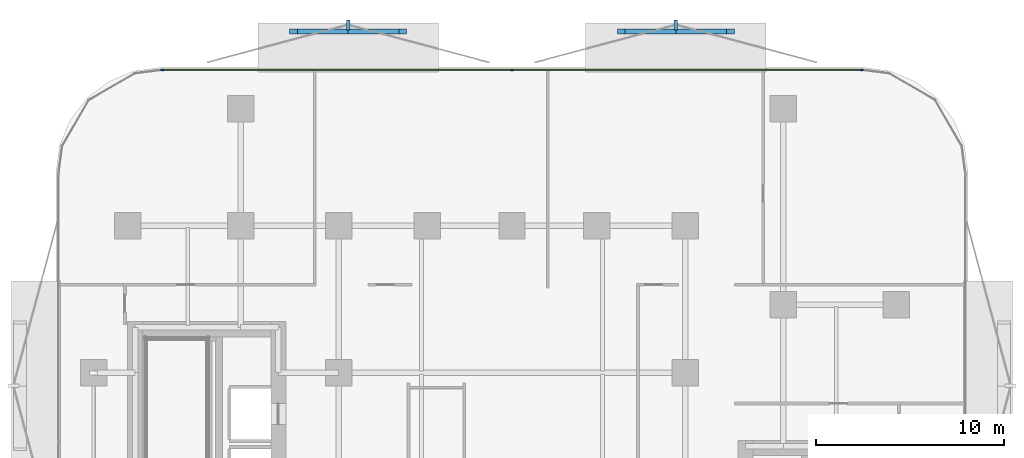
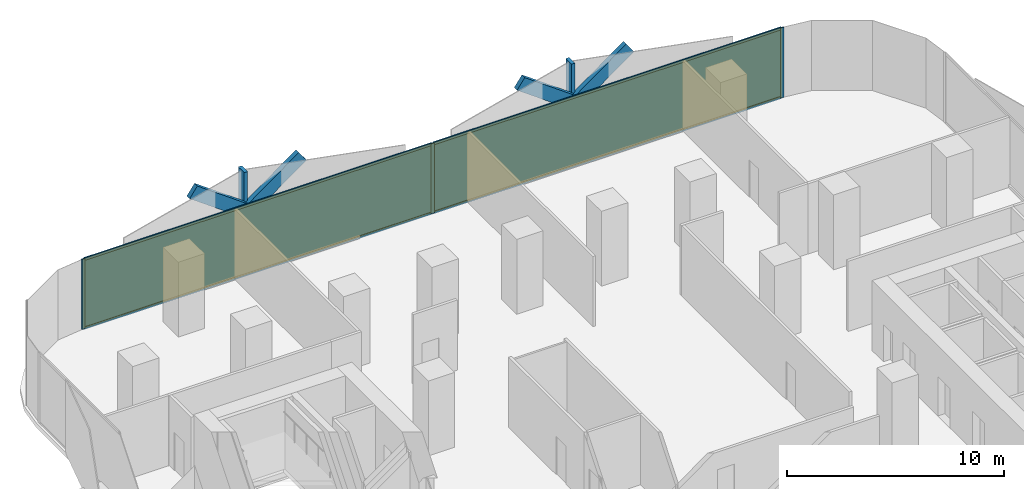
# One storey, part 11 of 16: 13 members, 2 plates, 1 curtain wall.
"""IFC4 building model written with IfcOpenShell, lengths in metres."""

from ifc_helpers import new_model, si_unit, direction, frame, frame_2d, origin, origin_2d, place, context, subcontext, project, spatial, rectangle, extrude, material, layer, layer_set, material_profile, profile_set, type_object, element, aggregate, save


model = new_model("IFC4")

# Units and contexts
model_context = context("Model", 3, precision=1e-05, world=origin(), true_north=direction((0.0, 1.0)))
body_context = subcontext(model_context, "Body", "Model", "MODEL_VIEW")
ifc_project = project(units=[si_unit("LENGTHUNIT", "METRE"), si_unit("AREAUNIT", "SQUARE_METRE"), si_unit("VOLUMEUNIT", "CUBIC_METRE"), si_unit("PLANEANGLEUNIT", "RADIAN"), si_unit("MASSUNIT", "GRAM", prefix="KILO")], contexts=[model_context])

# Member
ifc_material_1 = material(Name="Anodised Bronze Aluminium 6063-T6", Category="aluminium")
ifc_material_profile_1 = material_profile(ifc_material_1, rectangle(XDim=0.260009765625, YDim=0.699951171875, at=origin_2d()))
ifc_profile_set_1 = profile_set([ifc_material_profile_1], Name="Anodised Bronze Aluminium 6063-T6")
member_type_1 = type_object("IfcMemberType", Name="Bronze Diamond Solar-Screen Lattice Rib BDL-700", PredefinedType="MULLION", material=ifc_profile_set_1)
site_placement = place(None, origin())
building_placement = place(site_placement, origin())
storey_placement = place(building_placement, frame((0.0, 0.0, 55.39990234375)))
member_1_placement = place(storey_placement, frame((-11.593994140625, 28.89990234375, -0.1298828125), z_axis=(0.809806906486, 0.0, 0.58669649241), x_axis=(0.0, 1.0, 0.0)))
member_1 = element("IfcMember", 1, at=member_1_placement, type_object=member_type_1, Name="L13 Bronze Diamond Solar Screen Lattice Rib 61A", PredefinedType="MULLION", context=body_context, shape_type="SweptSolid", body=[
    extrude(rectangle(XDim=0.260009765625, YDim=0.699951171875, at=origin_2d()), origin(), (0.0, 0.0, 1.0), 7.15869140625),
])

member_2_placement = place(storey_placement, frame((-5.796875, 28.89990234375, -0.1298828125), z_axis=(-0.809806906486, 0.0, 0.58669649241), x_axis=(0.0, -1.0, 0.0)))
member_2 = element("IfcMember", 2, at=member_2_placement, type_object=member_type_1, Name="L13 Bronze Diamond Solar Screen Lattice Rib 61B", PredefinedType="MULLION", context=body_context, shape_type="SweptSolid", body=[
    extrude(rectangle(XDim=0.260009765625, YDim=0.699951171875, at=origin_2d()), origin(), (0.0, 0.0, 1.0), 7.15869140625),
])

member_3_placement = place(storey_placement, frame((5.796875, 28.89990234375, -0.1298828125), z_axis=(0.809806906486, 0.0, 0.58669649241), x_axis=(0.0, 1.0, 0.0)))
member_3 = element("IfcMember", 3, at=member_3_placement, type_object=member_type_1, Name="L13 Bronze Diamond Solar Screen Lattice Rib 62A", PredefinedType="MULLION", context=body_context, shape_type="SweptSolid", body=[
    extrude(rectangle(XDim=0.260009765625, YDim=0.699951171875, at=origin_2d()), origin(), (0.0, 0.0, 1.0), 7.15869140625),
])

member_4_placement = place(storey_placement, frame((11.593994140625, 28.89990234375, -0.1298828125), z_axis=(-0.809806906486, 0.0, 0.58669649241), x_axis=(0.0, -1.0, 0.0)))
member_4 = element("IfcMember", 4, at=member_4_placement, type_object=member_type_1, Name="L13 Bronze Diamond Solar Screen Lattice Rib 62B", PredefinedType="MULLION", context=body_context, shape_type="SweptSolid", body=[
    extrude(rectangle(XDim=0.260009765625, YDim=0.699951171875, at=origin_2d()), origin(), (0.0, 0.0, 1.0), 7.15869140625),
])

ifc_material_2 = material(Name="Anodised Bronze Aluminium 6063-T6", Category="aluminium")
ifc_material_profile_2 = material_profile(ifc_material_2, rectangle(XDim=0.179931640625, YDim=0.5400390625, at=origin_2d()))
ifc_profile_set_2 = profile_set([ifc_material_profile_2], Name="Anodised Bronze Aluminium 6063-T6")
member_type_2 = type_object("IfcMemberType", Name="Bronze Solar-Screen Vertical Fold Fin BSF-540", PredefinedType="MULLION", material=ifc_profile_set_2)
member_5_placement = place(storey_placement, frame((-8.6953125, 29.239990234375, -0.1298828125), z_axis=(0.0, 0.0, 1.0), x_axis=(1.0, 0.0, 0.0)))
member_5 = element("IfcMember", 5, at=member_5_placement, type_object=member_type_2, Name="L13 Bronze Solar Screen Vertical Fin 61", PredefinedType="MULLION", context=body_context, shape_type="SweptSolid", body=[
    extrude(rectangle(XDim=0.179931640625, YDim=0.5400390625, at=origin_2d()), origin(), (0.0, 0.0, 1.0), 4.199951171875),
])

member_6_placement = place(storey_placement, frame((8.6953125, 29.239990234375, -0.1298828125), z_axis=(0.0, 0.0, 1.0), x_axis=(1.0, 0.0, 0.0)))
member_6 = element("IfcMember", 6, at=member_6_placement, type_object=member_type_2, Name="L13 Bronze Solar Screen Vertical Fin 62", PredefinedType="MULLION", context=body_context, shape_type="SweptSolid", body=[
    extrude(rectangle(XDim=0.179931640625, YDim=0.5400390625, at=origin_2d()), origin(), (0.0, 0.0, 1.0), 4.199951171875),
])

ifc_material_3 = material(Name="Anodised Bronze Aluminium 6063-T6", Category="aluminium")
ifc_material_profile_3 = material_profile(ifc_material_3, rectangle(XDim=0.06494140625, YDim=0.179931640625, at=origin_2d()))
ifc_profile_set_3 = profile_set([ifc_material_profile_3], Name="Anodised Bronze Aluminium 6063-T6")
member_type_3 = type_object("IfcMemberType", Name="CW-Z1 Mullion 65x180", PredefinedType="MULLION", material=ifc_profile_set_3)
member_7_placement = place(storey_placement, frame((-18.558349609375, 26.860107421875, 0.0), z_axis=(0.0, 0.0, 1.0), x_axis=(0.0, 1.0, 0.0)))
member_7 = element("IfcMember", 7, at=member_7_placement, type_object=member_type_3, Name="CW-Z1 mullion 1", PredefinedType="MULLION", context=body_context, shape_type="SweptSolid", body=[
    extrude(rectangle(XDim=0.06494140625, YDim=0.179931640625, at=origin_2d()), origin(), (0.0, 0.0, 1.0), 3.940185546875),
])

member_8_placement = place(storey_placement, frame((0.0, 26.860107421875, 0.0), z_axis=(0.0, 0.0, 1.0), x_axis=(0.0, 1.0, 0.0)))
member_8 = element("IfcMember", 8, at=member_8_placement, type_object=member_type_3, Name="CW-Z1 mullion 2", PredefinedType="MULLION", context=body_context, shape_type="SweptSolid", body=[
    extrude(rectangle(XDim=0.06494140625, YDim=0.179931640625, at=origin_2d()), origin(), (0.0, 0.0, 1.0), 3.940185546875),
])

member_9_placement = place(storey_placement, frame((18.558349609375, 26.860107421875, 0.0), z_axis=(0.0, 0.0, 1.0), x_axis=(0.0, 1.0, 0.0)))
member_9 = element("IfcMember", 9, at=member_9_placement, type_object=member_type_3, Name="CW-Z1 mullion 3", PredefinedType="MULLION", context=body_context, shape_type="SweptSolid", body=[
    extrude(rectangle(XDim=0.06494140625, YDim=0.179931640625, at=origin_2d()), origin(), (0.0, 0.0, 1.0), 3.940185546875),
])

ifc_material_4 = material(Name="Anodised Bronze Aluminium 6063-T6", Category="aluminium")
ifc_material_profile_4 = material_profile(ifc_material_4, rectangle(XDim=0.06494140625, YDim=0.139892578125, at=origin_2d()))
ifc_profile_set_4 = profile_set([ifc_material_profile_4], Name="Anodised Bronze Aluminium 6063-T6")
member_type_4 = type_object("IfcMemberType", Name="CW-Z1 Transom 65x140", PredefinedType="USERDEFINED", material=ifc_profile_set_4)
member_10_placement = place(storey_placement, frame((-18.52587890625, 26.860107421875, 0.03271484375), z_axis=(1.0, 0.0, 0.0), x_axis=(0.0, 1.0, 0.0)))
member_10 = element("IfcMember", 10, at=member_10_placement, type_object=member_type_4, Name="CW-Z1 transom 1.1", ObjectType="TRANSOM", PredefinedType="USERDEFINED", context=body_context, shape_type="SweptSolid", body=[
    extrude(rectangle(XDim=0.06494140625, YDim=0.139892578125, at=origin_2d()), origin(), (0.0, 0.0, 1.0), 18.493408203125),
])

member_11_placement = place(storey_placement, frame((-18.52587890625, 26.860107421875, 3.90771484375), z_axis=(1.0, 0.0, 0.0), x_axis=(0.0, 1.0, 0.0)))
member_11 = element("IfcMember", 11, at=member_11_placement, type_object=member_type_4, Name="CW-Z1 transom 1.2", ObjectType="TRANSOM", PredefinedType="USERDEFINED", context=body_context, shape_type="SweptSolid", body=[
    extrude(rectangle(XDim=0.06494140625, YDim=0.139892578125, at=origin_2d()), origin(), (0.0, 0.0, 1.0), 18.493408203125),
])

member_12_placement = place(storey_placement, frame((0.032470703125, 26.860107421875, 0.03271484375), z_axis=(1.0, 0.0, 0.0), x_axis=(0.0, 1.0, 0.0)))
member_12 = element("IfcMember", 12, at=member_12_placement, type_object=member_type_4, Name="CW-Z1 transom 2.1", ObjectType="TRANSOM", PredefinedType="USERDEFINED", context=body_context, shape_type="SweptSolid", body=[
    extrude(rectangle(XDim=0.06494140625, YDim=0.139892578125, at=origin_2d()), origin(), (0.0, 0.0, 1.0), 18.493408203125),
])

member_13_placement = place(storey_placement, frame((0.032470703125, 26.860107421875, 3.90771484375), z_axis=(1.0, 0.0, 0.0), x_axis=(0.0, 1.0, 0.0)))
member_13 = element("IfcMember", 13, at=member_13_placement, type_object=member_type_4, Name="CW-Z1 transom 2.2", ObjectType="TRANSOM", PredefinedType="USERDEFINED", context=body_context, shape_type="SweptSolid", body=[
    extrude(rectangle(XDim=0.06494140625, YDim=0.139892578125, at=origin_2d()), origin(), (0.0, 0.0, 1.0), 18.493408203125),
])

# Plate
ifc_material_5 = material(Name="Low-E Solar Control Laminated Glass", Category="glass")
ifc_layer_1 = layer(ifc_material_5, 0.028076171875, Name="Low-E Solar Control Laminated Glass")
ifc_layer_set_1 = layer_set([ifc_layer_1], Name="Low-E Solar Control Laminated Glass")
plate_type = type_object("IfcPlateType", Name="CW-Z1 Low-E Double Glazed Panel 28mm", PredefinedType="CURTAIN_PANEL", material=ifc_layer_set_1)
plate_1_placement = place(storey_placement, frame((-9.279052734375, 26.860107421875, 0.065185546875), z_axis=(0.0, 0.0, 1.0), x_axis=(1.0, 0.0, 0.0)))
plate_1 = element("IfcPlate", 14, at=plate_1_placement, type_object=plate_type, Name="CW-Z1 panel 1.1", PredefinedType="CURTAIN_PANEL", context=body_context, shape_type="SweptSolid", body=[
    extrude(rectangle(XDim=18.493408203125, YDim=0.028076171875, at=origin_2d()), origin(), (0.0, 0.0, 1.0), 3.81005859375),
])

plate_2_placement = place(storey_placement, frame((9.279052734375, 26.860107421875, 0.065185546875), z_axis=(0.0, 0.0, 1.0), x_axis=(1.0, 0.0, 0.0)))
plate_2 = element("IfcPlate", 15, at=plate_2_placement, type_object=plate_type, Name="CW-Z1 panel 2.1", PredefinedType="CURTAIN_PANEL", context=body_context, shape_type="SweptSolid", body=[
    extrude(rectangle(XDim=18.493408203125, YDim=0.028076171875, at=origin_2d()), origin(), (0.0, 0.0, 1.0), 3.81005859375),
])

# Site, building, storey
site = spatial("IfcSite", under=ifc_project, at=site_placement, CompositionType="ELEMENT")
building = spatial("IfcBuilding", under=site, at=building_placement, Name="Khairoan Windgate Tower", CompositionType="ELEMENT")
storey = spatial("IfcBuildingStorey", under=building, at=storey_placement, Name="L13", CompositionType="ELEMENT", Elevation=55.39990234375)

# Curtain wall
ifc_material_6 = material(Name="Anodised Bronze Aluminium 6063-T6", Category="aluminium")
ifc_layer_2 = layer(ifc_material_6, 0.179931640625, Name="Anodised Bronze Aluminium 6063-T6")
ifc_layer_set_2 = layer_set([ifc_layer_2], Name="Anodised Bronze Aluminium 6063-T6")
curtain_wall_type = type_object("IfcCurtainWallType", Name="Low-Rise Office Unitised Curtain Wall CW-Z1", PredefinedType="NOTDEFINED", material=ifc_layer_set_2)
curtain_wall_placement = place(storey_placement, frame((-18.5908203125, 26.860107421875, 0.0), z_axis=(0.0, 0.0, 1.0), x_axis=(1.0, 0.0, 0.0)))
curtain_wall = element("IfcCurtainWall", 16, at=curtain_wall_placement, inside=storey, type_object=curtain_wall_type, Name="L13 Unitised Curtain Wall 11", PredefinedType="NOTDEFINED", context=body_context, shape_type="SweptSolid", body=[
    extrude(rectangle(XDim=37.181640625, YDim=0.010009765625, at=frame_2d((18.5908203125, 0.0))), origin(), (0.0, 0.0, 1.0), 3.940185546875),
])

aggregate(curtain_wall, [member_7, member_8, member_9, member_10, member_11, plate_1, member_12, member_13, plate_2, member_1, member_2, member_5, member_3, member_4, member_6])

save(model, "model.ifc")
